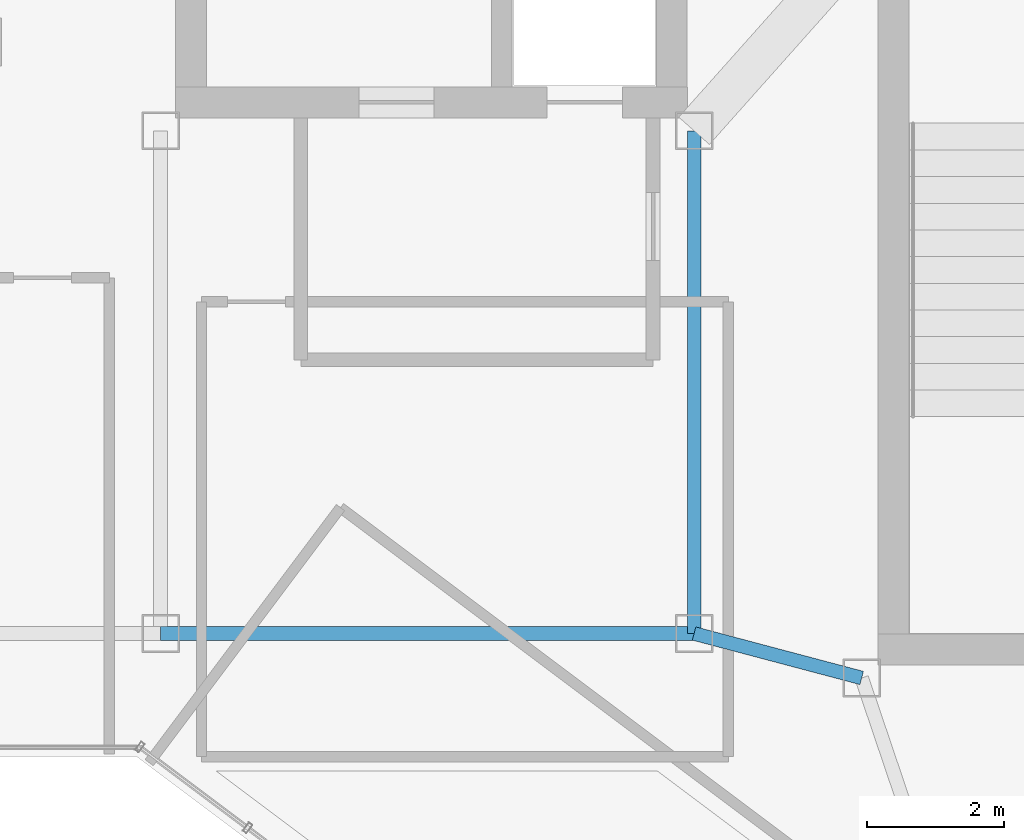
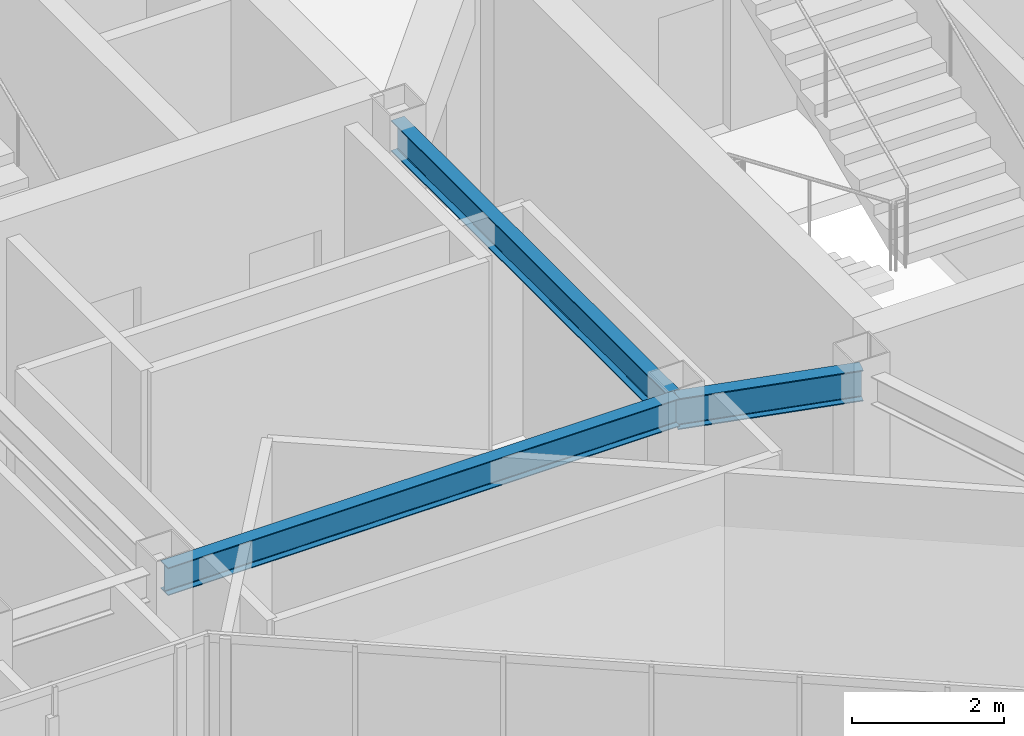
# One storey, part 4 of 24: 3 beams.
"""IFC4 building model written with IfcOpenShell, lengths in metres."""

import ifcopenshell
import ifcopenshell.guid

model = None  # the IFC model being written
_history = None  # IfcOwnerHistory: only IFC2X3 demands one
_inside = {}  # id of a spatial element -> (the spatial element, [elements in it])
_under = {}  # id of a project, library or spatial element -> (it, [spatial elements below it])
_declared = {}  # id of a project -> (the project, [libraries it declares])
_typed = {}  # id of a type object -> (the type object, [elements of that type])
_made_of = {}  # id of a material, layer set ... -> (it, [elements and type objects made of it])


def new_model(schema):
    """Start an empty IFC model of exactly this schema.

    Asked for "IFC4X3", IfcOpenShell would pick the latest addendum, in which some entities
    have other attributes; the version numbers below select the first issue.
    IFC2X3 requires an IfcOwnerHistory on every rooted entity: one is made here for all.
    """
    global model, _history
    if schema == "IFC4X3":
        model = ifcopenshell.file(schema_version=(4, 3, 0, 0))
    else:
        model = ifcopenshell.file(schema=schema)
    _inside.clear()
    _under.clear()
    _declared.clear()
    _typed.clear()
    _made_of.clear()
    _history = None
    if model.schema == "IFC2X3":
        org = make("IfcOrganization", Name="unknown")
        user = make(
            "IfcPersonAndOrganization",
            ThePerson=make("IfcPerson", FamilyName="unknown"),
            TheOrganization=org,
        )
        app = make(
            "IfcApplication",
            ApplicationDeveloper=org,
            Version="unknown",
            ApplicationFullName="unknown",
            ApplicationIdentifier="unknown",
        )
        _history = make(
            "IfcOwnerHistory",
            OwningUser=user,
            OwningApplication=app,
            ChangeAction="ADDED",
            CreationDate=0,
        )
    return model


def make(cls, **values):
    """One entity of the class cls with the attributes given. An attribute that is None is left unset."""
    return model.create_entity(
        cls, **{name: value for name, value in values.items() if value is not None}
    )


def rooted(cls, **values):
    """An entity with a GlobalId (a new one), such as an element, a storey or a relation."""
    return make(cls, GlobalId=ifcopenshell.guid.new(), OwnerHistory=_history, **values)


def si_unit(unit_type, name, prefix=None):
    """IfcSIUnit, for example si_unit("LENGTHUNIT", "METRE", prefix="MILLI")."""
    return make("IfcSIUnit", UnitType=unit_type, Prefix=prefix, Name=name)


def assignment(units):
    """IfcUnitAssignment: the units of a project."""
    return None if units is None else make("IfcUnitAssignment", Units=units)


def point(xyz):
    """IfcCartesianPoint."""
    return None if xyz is None else make("IfcCartesianPoint", Coordinates=xyz)


def direction(xyz):
    """IfcDirection."""
    return None if xyz is None else make("IfcDirection", DirectionRatios=xyz)


def frame(location, z_axis=None, x_axis=None):
    """IfcAxis2Placement3D, a coordinate frame: its origin and axes. An axis left out is left unset."""
    return make(
        "IfcAxis2Placement3D",
        Location=point(location),
        Axis=direction(z_axis),
        RefDirection=direction(x_axis),
    )


def frame_2d(location, x_axis=None):
    """IfcAxis2Placement2D, a coordinate frame in the plane: its origin and x axis."""
    return make(
        "IfcAxis2Placement2D", Location=point(location), RefDirection=direction(x_axis)
    )


def origin():
    """The frame at (0, 0, 0) with its axes left unset."""
    return frame((0.0, 0.0, 0.0))


def origin_2d():
    """The frame at (0, 0) in the plane with its x axis left unset."""
    return frame_2d((0.0, 0.0))


def place(relative_to, where):
    """IfcLocalPlacement: puts the frame where relative to a parent placement (None: the world)."""
    return make(
        "IfcLocalPlacement", PlacementRelTo=relative_to, RelativePlacement=where
    )


def context(
    kind, dimensions, precision=None, world=None, true_north=None, identifier=None
):
    """IfcGeometricRepresentationContext, for example the 3D "Model" context."""
    return make(
        "IfcGeometricRepresentationContext",
        ContextIdentifier=identifier,
        ContextType=kind,
        CoordinateSpaceDimension=dimensions,
        Precision=precision,
        WorldCoordinateSystem=world,
        TrueNorth=true_north,
    )


def subcontext(parent, identifier, kind, view, scale=None):
    """IfcGeometricRepresentationSubContext, for example "Body" below "Model"."""
    return make(
        "IfcGeometricRepresentationSubContext",
        ContextIdentifier=identifier,
        ContextType=kind,
        ParentContext=parent,
        TargetScale=scale,
        TargetView=view,
    )


def project(units=None, contexts=None):
    """IfcProject with its units and contexts."""
    return rooted(
        "IfcProject",
        Name="project",
        RepresentationContexts=contexts,
        UnitsInContext=assignment(units),
    )


def spatial(cls, under=None, at=None, **own):
    """A site, building, storey or space (cls), placed at a placement, below another one or the project."""
    s = rooted(cls, ObjectPlacement=at, **own)
    if under is not None:
        _under.setdefault(under.id(), (under, []))[1].append(s)
    return s


def profile(cls, at=None, kind="AREA", **sizes):
    """A parametric profile (cls). Its sizes go by their IFC names, for example OverallWidth=200.0."""
    return make(cls, ProfileType=kind, Position=at, **sizes)


def i_section(**sizes):
    """IfcIShapeProfileDef."""
    return profile("IfcIShapeProfileDef", **sizes)


def extrude(swept, where, along, depth):
    """IfcExtrudedAreaSolid: the profile swept, set in the frame where, extruded along a direction by depth."""
    return make(
        "IfcExtrudedAreaSolid",
        SweptArea=swept,
        Position=where,
        ExtrudedDirection=direction(along),
        Depth=depth,
    )


def shape(context_of_items, identifier, shape_type, items):
    """IfcShapeRepresentation: the items that make up one representation, for example the "Body"."""
    return make(
        "IfcShapeRepresentation",
        ContextOfItems=context_of_items,
        RepresentationIdentifier=identifier,
        RepresentationType=shape_type,
        Items=items,
    )


def material(Name=None, Category=None):
    """IfcMaterial."""
    return make("IfcMaterial", Name=Name, Category=Category)


def material_profile(
    of_material, cross_section, Name=None, Category=None, Priority=None
):
    """IfcMaterialProfile: a cross section and its material."""
    return make(
        "IfcMaterialProfile",
        Name=Name,
        Material=of_material,
        Profile=cross_section,
        Priority=Priority,
        Category=Category,
    )


def profile_set(profiles, Name=None, composite=None):
    """IfcMaterialProfileSet."""
    return make(
        "IfcMaterialProfileSet",
        Name=Name,
        MaterialProfiles=profiles,
        CompositeProfile=composite,
    )


def made_of(thing, what):
    """Note that an element or type object is made of a material, layer set ...; save() writes the relation."""
    if what is not None:
        _made_of.setdefault(what.id(), (what, []))[1].append(thing)
    return thing


def type_object(cls, material=None, **own):
    """A type object (cls), such as IfcWallType, which elements share."""
    return made_of(rooted(cls, **own), material)


def element(
    cls,
    number,
    at=None,
    inside=None,
    cuts=None,
    type_object=None,
    material=None,
    context=None,
    identifier="Body",
    shape_type=None,
    held_by="IfcProductDefinitionShape",
    body=None,
    shapes=None,
    **own,
):
    """One element of the class cls, such as IfcWall. Its Tag is "e" and its number.

    at: its placement. inside: the storey or other place that contains it. cuts: it is an
    opening in that element (IfcRelVoidsElement). A single representation is given by context,
    identifier, shape_type and body (its items); several are given by shapes. held_by: the class
    of the entity that holds the representations. save() writes the other relations.
    """
    e = rooted(cls, Tag="e%d" % number, ObjectPlacement=at, **own)
    if body is not None:
        shapes = [shape(context, identifier, shape_type, body)]
    if shapes is not None:
        e.Representation = make(held_by, Representations=shapes)
    if inside is not None:
        _inside.setdefault(inside.id(), (inside, []))[1].append(e)
    if cuts is not None:
        rooted(
            "IfcRelVoidsElement", RelatingBuildingElement=cuts, RelatedOpeningElement=e
        )
    if type_object is not None:
        _typed.setdefault(type_object.id(), (type_object, []))[1].append(e)
    return made_of(e, material)


def aggregate(whole, parts):
    """IfcRelAggregates: a whole, such as a stair, and the parts it consists of."""
    return rooted("IfcRelAggregates", RelatingObject=whole, RelatedObjects=parts)


def save(model, path):
    """Write the relations noted so far, then the file.

    IfcRelAggregates (storeys below a building ...), IfcRelContainedInSpatialStructure (elements
    in a storey), IfcRelDefinesByType, IfcRelAssociatesMaterial and IfcRelDeclares: one each for
    every whole, place, type object, material and project.
    """
    for whole, parts in _under.values():
        aggregate(whole, parts)
    for where, things in _inside.values():
        rooted(
            "IfcRelContainedInSpatialStructure",
            RelatedElements=things,
            RelatingStructure=where,
        )
    for kind, things in _typed.values():
        rooted("IfcRelDefinesByType", RelatedObjects=things, RelatingType=kind)
    for what, things in _made_of.values():
        rooted("IfcRelAssociatesMaterial", RelatedObjects=things, RelatingMaterial=what)
    for by, libraries in _declared.values():
        rooted("IfcRelDeclares", RelatingContext=by, RelatedDefinitions=libraries)
    model.write(path)


model = new_model("IFC4")

# Units and contexts
model_context = context("Model", 3, precision=1e-05, world=origin(), true_north=direction((0.0, 1.0)))
body_context = subcontext(model_context, "Body", "Model", "MODEL_VIEW")
ifc_project = project(units=[si_unit("LENGTHUNIT", "METRE"), si_unit("AREAUNIT", "SQUARE_METRE"), si_unit("VOLUMEUNIT", "CUBIC_METRE"), si_unit("PLANEANGLEUNIT", "RADIAN"), si_unit("MASSUNIT", "GRAM", prefix="KILO")], contexts=[model_context])

# Site, building, storey
site_placement = place(None, origin())
site = spatial("IfcSite", under=ifc_project, at=site_placement, CompositionType="ELEMENT")
building_placement = place(site_placement, origin())
building = spatial("IfcBuilding", under=site, at=building_placement, Name="Hatsunagi Terrace Concourse", CompositionType="ELEMENT")
storey_placement = place(building_placement, frame((0.0, 0.0, 285.949951171875)))
storey = spatial("IfcBuildingStorey", under=building, at=storey_placement, Name="L75", CompositionType="ELEMENT", Elevation=285.949951171875)

# Beams
ifc_material_1 = material(Name="Steel SN490B", Category="steel")
ifc_material_profile_1 = material_profile(ifc_material_1, i_section(OverallWidth=0.199951171875, OverallDepth=0.5, WebThickness=0.010009765625, FlangeThickness=0.01611328125, FilletRadius=0.01611328125, at=origin_2d()), Name="H-500x200x10x16")
ifc_profile_set_1 = profile_set([ifc_material_profile_1], Name="Steel SN490B")
beam_type_1 = type_object("IfcBeamType", Name="CrownFloorGirder_H_500x200", PredefinedType="BEAM", material=ifc_profile_set_1)
beam_1_placement = place(storey_placement, frame((33.35009765625, 25.199951171875, 3.449951171875), z_axis=(0.0, 1.0, 0.0), x_axis=(-1.0, 0.0, 0.0)))
element("IfcBeam", 1, at=beam_1_placement, inside=storey, type_object=beam_type_1, Name="Beam G-07 BM-L75-K2CA", PredefinedType="BEAM", context=body_context, shape_type="SweptSolid", body=[
    extrude(i_section(OverallWidth=0.199951171875, OverallDepth=0.5, WebThickness=0.010009765625, FlangeThickness=0.01611328125, FilletRadius=0.01611328125, at=origin_2d()), origin(), (0.0, 0.0, 1.0), 7.35009765625),
])
beam_2_placement = place(storey_placement, frame((33.35009765625, 25.199951171875, 3.449951171875), z_axis=(0.966569840116, -0.256403479262, 0.0), x_axis=(0.256403479262, 0.966569840116, 0.0)))
element("IfcBeam", 2, at=beam_2_placement, inside=storey, type_object=beam_type_1, Name="Beam G-07 BM-L75-K2CB", PredefinedType="BEAM", context=body_context, shape_type="SweptSolid", body=[
    extrude(i_section(OverallWidth=0.199951171875, OverallDepth=0.5, WebThickness=0.010009765625, FlangeThickness=0.01611328125, FilletRadius=0.01611328125, at=origin_2d()), origin(), (0.0, 0.0, 1.0), 2.53466796875),
])
ifc_material_2 = material(Name="Steel SN490B", Category="steel")
ifc_material_profile_2 = material_profile(ifc_material_2, i_section(OverallWidth=0.199951171875, OverallDepth=0.449951171875, WebThickness=0.009033203125, FlangeThickness=0.013916015625, FilletRadius=0.01611328125, at=origin_2d()), Name="H-450x200x9x14")
ifc_profile_set_2 = profile_set([ifc_material_profile_2], Name="Steel SN490B")
beam_type_2 = type_object("IfcBeamType", Name="PerimeterSpandrel_H_450x200", PredefinedType="SPANDREL", material=ifc_profile_set_2)
beam_3_placement = place(storey_placement, frame((25.550048828125, 25.199951171875, 3.47509765625), z_axis=(1.0, 0.0, 0.0), x_axis=(0.0, 1.0, 0.0)))
element("IfcBeam", 3, at=beam_3_placement, inside=storey, type_object=beam_type_2, Name="Beam SP-02 BM-L75-WS-25", PredefinedType="SPANDREL", context=body_context, shape_type="SweptSolid", body=[
    extrude(i_section(OverallWidth=0.199951171875, OverallDepth=0.449951171875, WebThickness=0.009033203125, FlangeThickness=0.013916015625, FilletRadius=0.01611328125, at=origin_2d()), origin(), (0.0, 0.0, 1.0), 7.800048828125),
])

save(model, "model.ifc")
